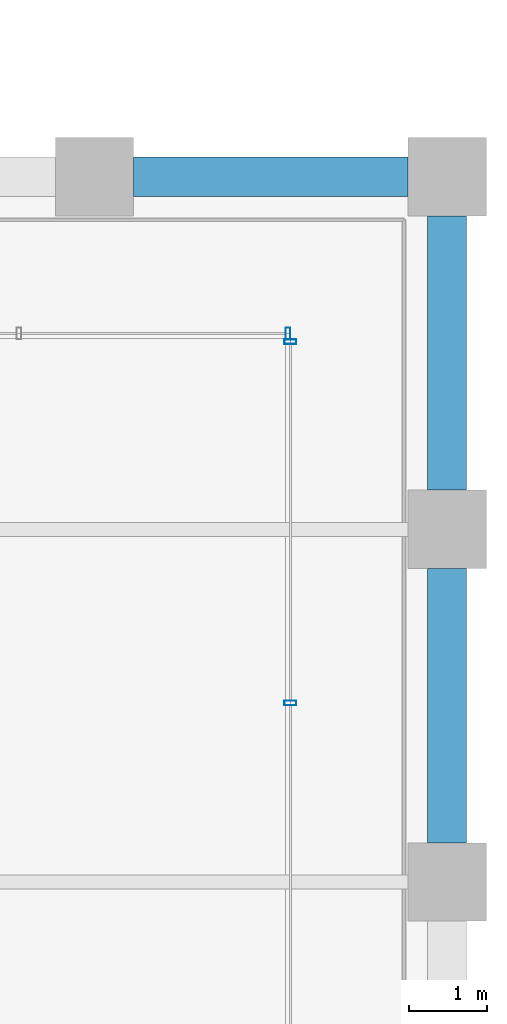
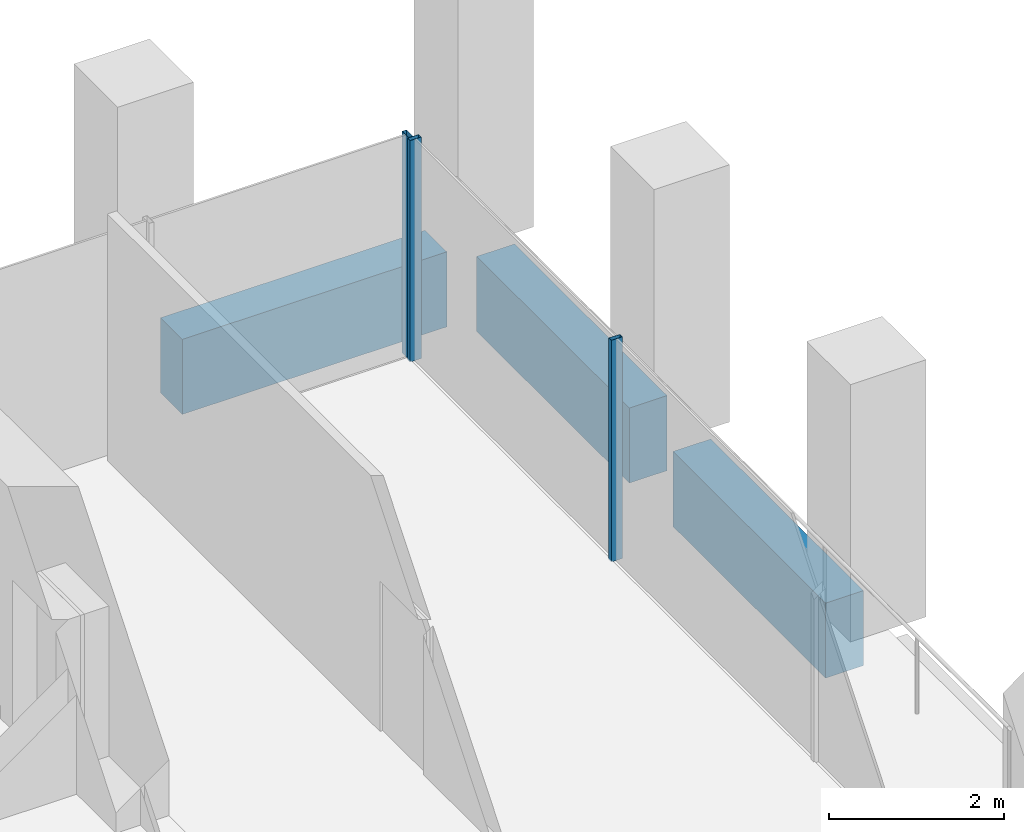
# One storey, part 38 of 46: 3 beams, 3 members, 2 elements without a shape of their own.
"""IFC4 building model written with IfcOpenShell, lengths in metres."""

from ifc_helpers import new_model, si_unit, direction, frame, origin, origin_2d, place, context, subcontext, project, spatial, rectangle, hollow_rectangle, extrude, material, material_profile, profile_set, type_object, element, aggregate, save


model = new_model("IFC4")

# Units and contexts
model_context = context("Model", 3, precision=1e-05, world=origin(), true_north=direction((0.0, 1.0)))
body_context = subcontext(model_context, "Body", "Model", "MODEL_VIEW")
ifc_project = project(units=[si_unit("LENGTHUNIT", "METRE"), si_unit("AREAUNIT", "SQUARE_METRE"), si_unit("VOLUMEUNIT", "CUBIC_METRE"), si_unit("PLANEANGLEUNIT", "RADIAN"), si_unit("MASSUNIT", "GRAM", prefix="KILO")], contexts=[model_context])

# Site, building, storey
site_placement = place(None, origin())
site = spatial("IfcSite", under=ifc_project, at=site_placement, CompositionType="ELEMENT")
building_placement = place(site_placement, origin())
building = spatial("IfcBuilding", under=site, at=building_placement, Name="Altepetl Exchange Towers", CompositionType="ELEMENT")
storey_placement = place(building_placement, frame((0.0, 0.0, 102.800048828125)))
storey = spatial("IfcBuildingStorey", under=building, at=storey_placement, Name="L25", CompositionType="ELEMENT", Elevation=102.800048828125)

# Curtain wall, members
ifc_material_1 = material(Name="Aluminium 6063-T6 glazing", Category="aluminium")
curtain_wall_type = type_object("IfcCurtainWallType", Name="Loggia glazing system", PredefinedType="NOTDEFINED", material=ifc_material_1)
curtain_wall_1_placement = place(storey_placement, origin())
curtain_wall_1 = element("IfcCurtainWall", 1, at=curtain_wall_1_placement, inside=storey, type_object=curtain_wall_type, Name="CW1 run", PredefinedType="NOTDEFINED")
ifc_material_2 = material(Name="Aluminium 6063-T6", Category="aluminium")
ifc_material_profile_1 = material_profile(ifc_material_2, hollow_rectangle(XDim=0.06005859375, YDim=0.14990234375, WallThickness=0.0029296875, at=origin_2d()), Name="Mullion 60x150 aluminium")
ifc_profile_set_1 = profile_set([ifc_material_profile_1], Name="Aluminium 6063-T6")
member_type = type_object("IfcMemberType", Name="Mullion 60x150 aluminium", PredefinedType="MULLION", material=ifc_profile_set_1)
member_1_placement = place(storey_placement, frame((124.0, 42.783447265625, 0.0), z_axis=(0.0, 0.0, 1.0), x_axis=(0.0, 1.0, 0.0)))
member_1 = element("IfcMember", 2, at=member_1_placement, type_object=member_type, Name="MU1 mullion", PredefinedType="MULLION", context=body_context, shape_type="SweptSolid", body=[
    extrude(hollow_rectangle(XDim=0.06005859375, YDim=0.14990234375, WallThickness=0.0029296875, at=origin_2d()), origin(), (0.0, 0.0, 1.0), 3.099853515625),
])
member_2_placement = place(storey_placement, frame((124.0, 47.39501953125, 0.0), z_axis=(0.0, 0.0, 1.0), x_axis=(0.0, 1.0, 0.0)))
member_2 = element("IfcMember", 3, at=member_2_placement, type_object=member_type, Name="MU1 mullion", PredefinedType="MULLION", context=body_context, shape_type="SweptSolid", body=[
    extrude(hollow_rectangle(XDim=0.06005859375, YDim=0.14990234375, WallThickness=0.0029296875, at=origin_2d()), origin(), (0.0, 0.0, 1.0), 3.099853515625),
])
aggregate(curtain_wall_1, [member_1, member_2])

# Curtain wall, member
curtain_wall_2_placement = place(storey_placement, origin())
curtain_wall_2 = element("IfcCurtainWall", 4, at=curtain_wall_2_placement, inside=storey, type_object=curtain_wall_type, Name="CW1 run", PredefinedType="NOTDEFINED")
member_3_placement = place(storey_placement, frame((123.969970703125, 47.5, 0.0), z_axis=(0.0, 0.0, 1.0), x_axis=(-1.0, 0.0, 0.0)))
member_3 = element("IfcMember", 5, at=member_3_placement, type_object=member_type, Name="MU1 mullion", PredefinedType="MULLION", context=body_context, shape_type="SweptSolid", body=[
    extrude(hollow_rectangle(XDim=0.06005859375, YDim=0.14990234375, WallThickness=0.0029296875, at=origin_2d()), origin(), (0.0, 0.0, 1.0), 3.099853515625),
])
aggregate(curtain_wall_2, [member_3])

# Beams
ifc_material_3 = material(Name="Concrete C50/60 precast with cantera amarilla facing", Category="concrete")
ifc_material_profile_2 = material_profile(ifc_material_3, rectangle(XDim=0.5, YDim=1.050048828125, at=origin_2d()), Name="500 x 1050")
ifc_profile_set_2 = profile_set([ifc_material_profile_2], Name="Concrete C50/60 precast with cantera amarilla facing")
beam_type_1 = type_object("IfcBeamType", Name="Spandrel beam 500x1050 cantera amarilla", PredefinedType="SPANDREL", material=ifc_profile_set_2)
beam_placement = place(storey_placement, frame((125.5, 49.5, -0.675048828125), z_axis=(-1.0, 0.0, 0.0), x_axis=(0.0, -1.0, 0.0)))
element("IfcBeam", 6, at=beam_placement, inside=storey, type_object=beam_type_1, Name="sp:B:L25:013", PredefinedType="SPANDREL", context=body_context, shape_type="SweptSolid", body=[
    extrude(rectangle(XDim=0.5, YDim=1.050048828125, at=origin_2d()), origin(), (0.0, 0.0, 1.0), 3.5),
])
ifc_material_4 = material(Name="Concrete C50/60 precast with cantera blanca facing", Category="concrete")
ifc_material_profile_3 = material_profile(ifc_material_4, rectangle(XDim=0.5, YDim=1.050048828125, at=origin_2d()), Name="500 x 1050")
ifc_profile_set_3 = profile_set([ifc_material_profile_3], Name="Concrete C50/60 precast with cantera blanca facing")
beam_type_2 = type_object("IfcBeamType", Name="Spandrel beam 500x1050 cantera blanca", PredefinedType="SPANDREL", material=ifc_profile_set_3)
for number, where, z_axis, x_axis, name in (
    (7, (126.0, 41.0, -0.675048828125), (0.0, 1.0, 0.0), (-1.0, 0.0, 0.0), "sp:B:L25:011"),
    (8, (126.0, 45.5, -0.675048828125), (0.0, 1.0, 0.0), (-1.0, 0.0, 0.0), "sp:B:L25:012"),
):
    element("IfcBeam", number, at=place(storey_placement, frame(where, z_axis=z_axis, x_axis=x_axis)), inside=storey, type_object=beam_type_2, Name=name, PredefinedType="SPANDREL", context=body_context, shape_type="SweptSolid", body=[
        extrude(rectangle(XDim=0.5, YDim=1.050048828125, at=origin_2d()), origin(), (0.0, 0.0, 1.0), 3.5),
    ])

save(model, "model.ifc")
